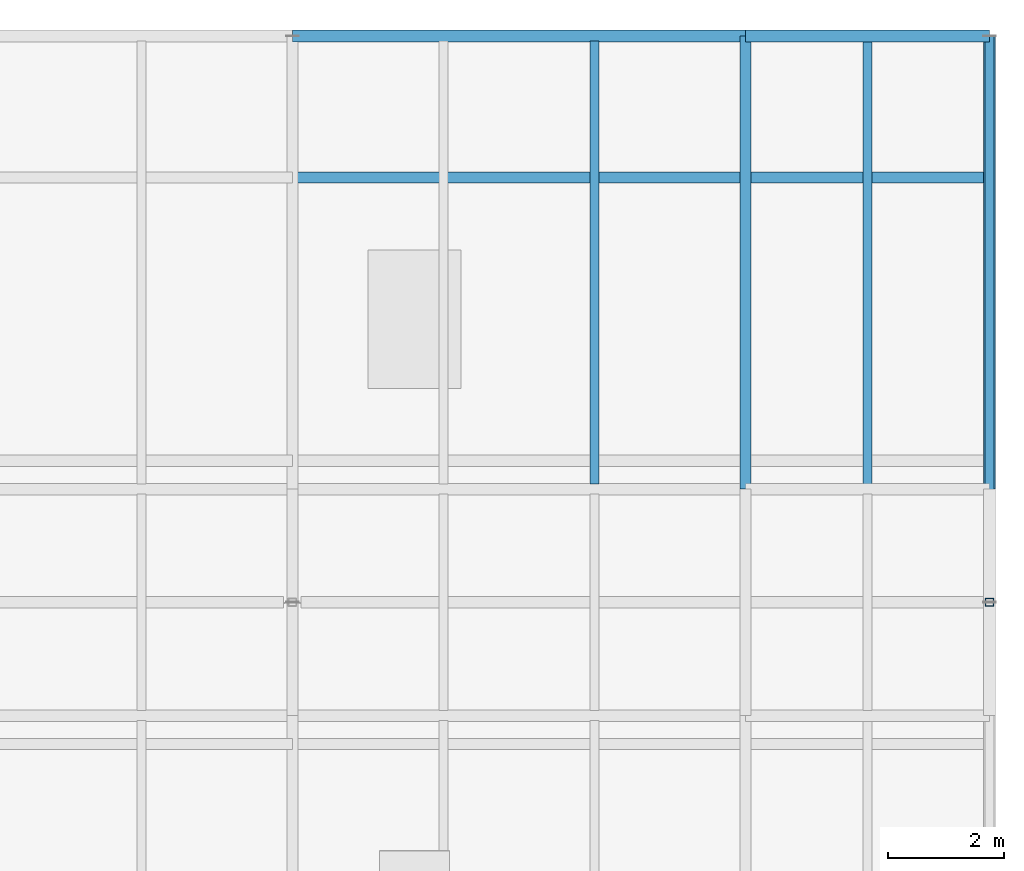
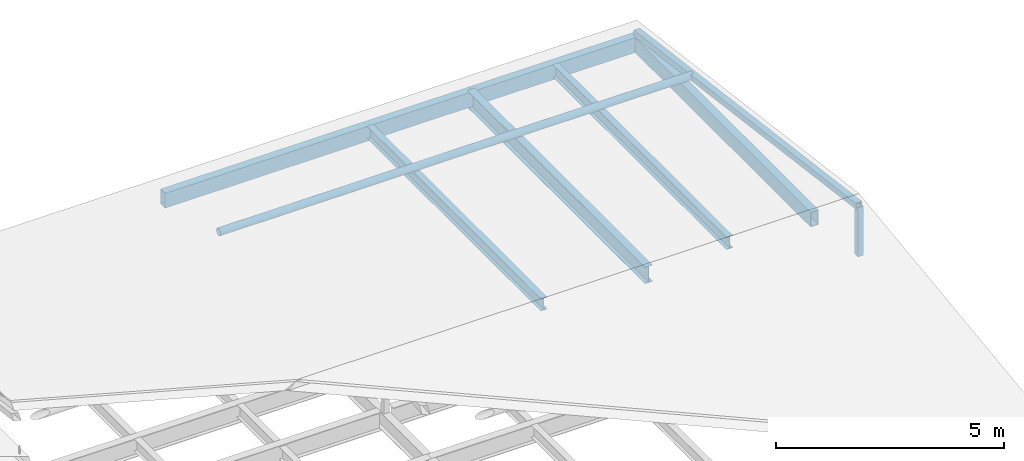
# One storey, part 65 of 119: 6 beams, 3 members.
"""IFC4 building model written with IfcOpenShell, lengths in metres."""

from ifc_helpers import new_model, si_unit, direction, frame, origin, origin_2d, place, context, subcontext, project, spatial, hollow_rectangle, hollow_circle, i_section, extrude, material, material_profile, profile_set, type_object, element, save


model = new_model("IFC4")

# Units and contexts
model_context = context("Model", 3, precision=1e-05, world=origin(), true_north=direction((0.0, 1.0)))
body_context = subcontext(model_context, "Body", "Model", "MODEL_VIEW")
ifc_project = project(units=[si_unit("LENGTHUNIT", "METRE"), si_unit("AREAUNIT", "SQUARE_METRE"), si_unit("VOLUMEUNIT", "CUBIC_METRE"), si_unit("PLANEANGLEUNIT", "RADIAN"), si_unit("MASSUNIT", "GRAM", prefix="KILO")], contexts=[model_context])

# Site, building, storey
site_placement = place(None, origin())
site = spatial("IfcSite", under=ifc_project, at=site_placement, CompositionType="ELEMENT")
building_placement = place(site_placement, origin())
building = spatial("IfcBuilding", under=site, at=building_placement, Name="Celorna Specialist Clinic", CompositionType="ELEMENT")
storey_placement = place(building_placement, frame((0.0, 0.0, 9.60009765625)))
storey = spatial("IfcBuildingStorey", under=building, at=storey_placement, Name="L02", CompositionType="ELEMENT", Elevation=9.60009765625)

# Beams
ifc_material = material(Name="Steel S355", Category="steel")
ifc_material_profile_1 = material_profile(ifc_material, i_section(OverallWidth=0.18994140625, OverallDepth=0.449951171875, WebThickness=0.009521484375, FlangeThickness=0.0146484375, at=origin_2d()), Name="IPE 450")
ifc_profile_set_1 = profile_set([ifc_material_profile_1], Name="Steel S355")
beam_type_1 = type_object("IfcBeamType", Name="BM-09", PredefinedType="BEAM", material=ifc_profile_set_1)
beam_1_placement = place(storey_placement, frame((163.800048828125, 108.199951171875, -0.485107421875), z_axis=(0.0, 1.0, 0.0), x_axis=(-1.0, 0.0, 0.0)))
element("IfcBeam", 1, at=beam_1_placement, inside=storey, type_object=beam_type_1, Name="Transverse girder BM-09 #2278", PredefinedType="BEAM", context=body_context, shape_type="SweptSolid", body=[
    extrude(i_section(OverallWidth=0.18994140625, OverallDepth=0.449951171875, WebThickness=0.009521484375, FlangeThickness=0.0146484375, at=origin_2d()), origin(), (0.0, 0.0, 1.0), 7.800048828125),
])
ifc_material_profile_2 = material_profile(ifc_material, i_section(OverallWidth=0.159912109375, OverallDepth=0.330078125, WebThickness=0.007568359375, FlangeThickness=0.011474609375, at=origin_2d()), Name="IPE 330")
ifc_profile_set_2 = profile_set([ifc_material_profile_2], Name="Steel S355")
beam_type_2 = type_object("IfcBeamType", Name="BM-12", PredefinedType="JOIST", material=ifc_profile_set_2)
for number, where, z_axis, x_axis, name in (
    (2, (161.199951171875, 108.2880859375, -0.425048828125), (0.0, 1.0, 0.0), (-1.0, 0.0, 0.0), "Secondary floor joist BM-12 #2305"),
    (3, (165.89990234375, 108.2880859375, -0.425048828125), (0.0, 1.0, 0.0), (-1.0, 0.0, 0.0), "Secondary floor joist BM-12 #2308"),
):
    element("IfcBeam", number, at=place(storey_placement, frame(where, z_axis=z_axis, x_axis=x_axis)), inside=storey, type_object=beam_type_2, Name=name, PredefinedType="JOIST", context=body_context, shape_type="SweptSolid", body=[
        extrude(i_section(OverallWidth=0.159912109375, OverallDepth=0.330078125, WebThickness=0.007568359375, FlangeThickness=0.011474609375, at=origin_2d()), origin(), (0.0, 0.0, 1.0), 7.6240234375),
    ])
ifc_material_profile_3 = material_profile(ifc_material, hollow_rectangle(XDim=0.199951171875, YDim=0.39990234375, WallThickness=0.011962890625, at=origin_2d()), Name="RHS 200x400x12")
ifc_profile_set_3 = profile_set([ifc_material_profile_3], Name="Steel S355")
beam_type_3 = type_object("IfcBeamType", Name="BM-15", PredefinedType="SPANDREL", material=ifc_profile_set_3)
beam_2_placement = place(storey_placement, frame((156.0, 116.0, -0.460205078125), z_axis=(1.0, 0.0, 0.0), x_axis=(0.0, 1.0, 0.0)))
element("IfcBeam", 4, at=beam_2_placement, inside=storey, type_object=beam_type_3, Name="Spandrel beam BM-15 #2265", PredefinedType="SPANDREL", context=body_context, shape_type="SweptSolid", body=[
    extrude(hollow_rectangle(XDim=0.199951171875, YDim=0.39990234375, WallThickness=0.011962890625, at=origin_2d()), origin(), (0.0, 0.0, 1.0), 7.800048828125),
])
beam_3_placement = place(storey_placement, frame((163.800048828125, 116.0, -0.460205078125), z_axis=(1.0, 0.0, 0.0), x_axis=(0.0, 1.0, 0.0)))
element("IfcBeam", 5, at=beam_3_placement, inside=storey, type_object=beam_type_3, Name="Spandrel beam BM-15 #2266", PredefinedType="SPANDREL", context=body_context, shape_type="SweptSolid", body=[
    extrude(hollow_rectangle(XDim=0.199951171875, YDim=0.39990234375, WallThickness=0.011962890625, at=origin_2d()), origin(), (0.0, 0.0, 1.0), 4.199951171875),
])
beam_4_placement = place(storey_placement, frame((168.0, 108.199951171875, -0.460205078125), z_axis=(0.0, 1.0, 0.0), x_axis=(-1.0, 0.0, 0.0)))
element("IfcBeam", 6, at=beam_4_placement, inside=storey, type_object=beam_type_3, Name="Spandrel beam BM-15 #2281", PredefinedType="SPANDREL", context=body_context, shape_type="SweptSolid", body=[
    extrude(hollow_rectangle(XDim=0.199951171875, YDim=0.39990234375, WallThickness=0.011962890625, at=origin_2d()), origin(), (0.0, 0.0, 1.0), 7.800048828125),
])

# Members
ifc_material_profile_4 = material_profile(ifc_material, hollow_circle(Radius=0.096923828125, WallThickness=0.010009765625, at=origin_2d()), Name="CHS 193.7x10")
ifc_profile_set_4 = profile_set([ifc_material_profile_4], Name="Steel S355")
member_type_1 = type_object("IfcMemberType", Name="MB-04", PredefinedType="PURLIN", material=ifc_profile_set_4)
member_1_placement = place(storey_placement, frame((156.0, 113.5625, 0.12548828125), z_axis=(1.0, 0.0, 0.0), x_axis=(0.0, 1.0, 0.0)))
element("IfcMember", 7, at=member_1_placement, inside=storey, type_object=member_type_1, Name="Roof purlin WP-366-WP-367", PredefinedType="PURLIN", context=body_context, shape_type="SweptSolid", body=[
    extrude(hollow_circle(Radius=0.096923828125, WallThickness=0.010009765625, at=origin_2d()), origin(), (0.0, 0.0, 1.0), 12.0),
])
ifc_material_profile_5 = material_profile(ifc_material, hollow_rectangle(XDim=0.159912109375, YDim=0.159912109375, WallThickness=0.010009765625, at=origin_2d()), Name="SHS 160x160x10")
ifc_profile_set_5 = profile_set([ifc_material_profile_5], Name="Steel S355")
member_type_2 = type_object("IfcMemberType", Name="MB-09", PredefinedType="CHORD", material=ifc_profile_set_5)
member_2_placement = place(storey_placement, frame((168.0, 106.25, 1.06787109375), z_axis=(0.0, 0.991622826619, -0.129167216148), x_axis=(-1.0, 0.0, 0.0)))
element("IfcMember", 8, at=member_2_placement, inside=storey, type_object=member_type_2, Name="Pitched roof rafter chord WP-352-WP-361", PredefinedType="CHORD", context=body_context, shape_type="SweptSolid", body=[
    extrude(hollow_rectangle(XDim=0.159912109375, YDim=0.159912109375, WallThickness=0.010009765625, at=origin_2d()), origin(), (0.0, 0.0, 1.0), 9.832275390625),
])
ifc_material_profile_6 = material_profile(ifc_material, hollow_rectangle(XDim=0.139892578125, YDim=0.139892578125, WallThickness=0.008056640625, at=origin_2d()), Name="SHS 140x140x8")
ifc_profile_set_6 = profile_set([ifc_material_profile_6], Name="Steel S355")
member_type_3 = type_object("IfcMemberType", Name="MB-10", PredefinedType="CHORD", material=ifc_profile_set_6)
member_3_placement = place(storey_placement, frame((168.0, 106.25, -0.25), z_axis=(0.0, 0.0, 1.0), x_axis=(1.0, 0.0, 0.0)))
element("IfcMember", 9, at=member_3_placement, inside=storey, type_object=member_type_3, Name="Roof ridge/eave support post ROOF-V4-EAST-S", PredefinedType="CHORD", context=body_context, shape_type="SweptSolid", body=[
    extrude(hollow_rectangle(XDim=0.139892578125, YDim=0.139892578125, WallThickness=0.008056640625, at=origin_2d()), origin(), (0.0, 0.0, 1.0), 1.31787109375),
])

save(model, "model.ifc")
